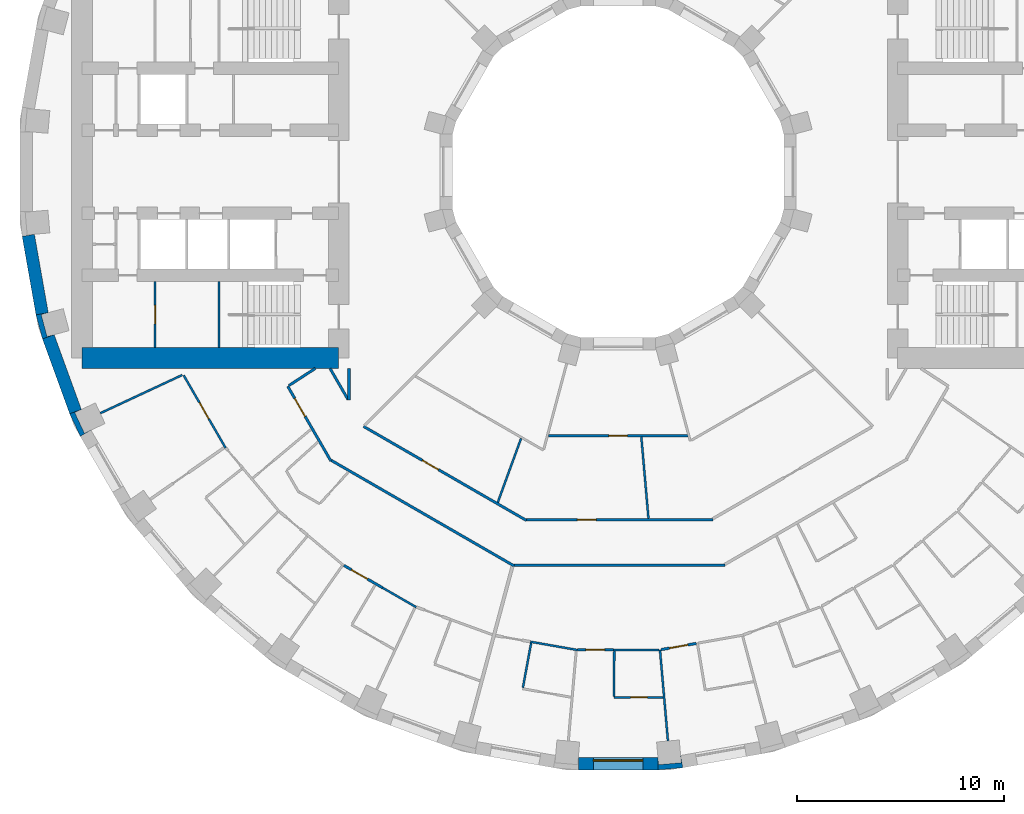
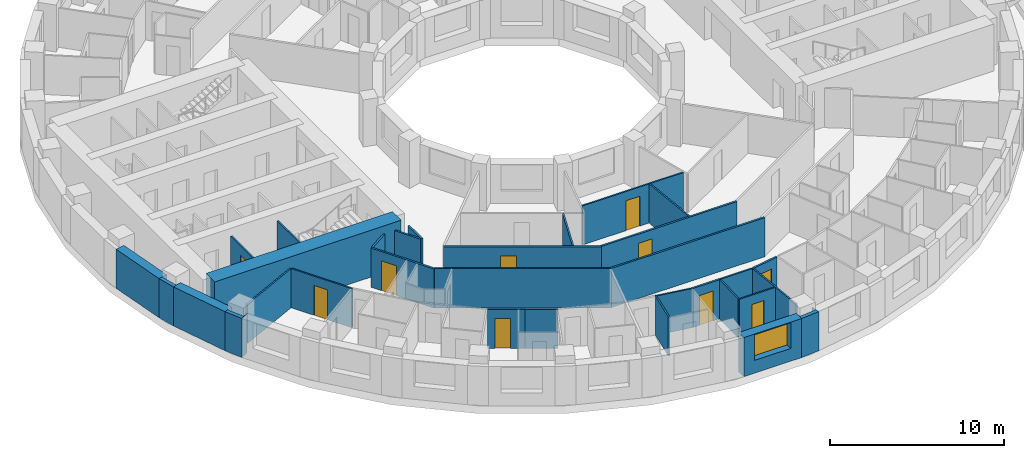
# One storey, part 3 of 14: 32 walls, 10 doors, 1 window, 11 openings.
"""IFC4 building model written with IfcOpenShell, lengths in metres."""

from ifc_helpers import new_model, si_unit, direction, frame, frame_2d, origin, place, context, subcontext, project, spatial, polyline, rectangle, outline, extrude, material, layer, layer_set, type_object, element, fill, save


model = new_model("IFC4")

# Units and contexts
model_context = context("Model", 3, precision=1e-05, world=origin(), true_north=direction((0.0, 1.0)))
body_context = subcontext(model_context, "Body", "Model", "MODEL_VIEW")
ifc_project = project(units=[si_unit("LENGTHUNIT", "METRE"), si_unit("AREAUNIT", "SQUARE_METRE"), si_unit("VOLUMEUNIT", "CUBIC_METRE"), si_unit("PLANEANGLEUNIT", "RADIAN"), si_unit("MASSUNIT", "GRAM", prefix="KILO")], contexts=[model_context])

# Site, building, storey
site_placement = place(None, origin())
site = spatial("IfcSite", under=ifc_project, at=site_placement, CompositionType="ELEMENT")
building_placement = place(site_placement, origin())
building = spatial("IfcBuilding", under=site, at=building_placement, Name="Saqina Gate Tower", CompositionType="ELEMENT")
storey_placement = place(building_placement, frame((0.0, 0.0, 46.10009765625)))
storey = spatial("IfcBuildingStorey", under=building, at=storey_placement, Name="L12", CompositionType="ELEMENT", Elevation=46.10009765625)

# Walls
ifc_material_1 = material(Name="Brick masonry (red)", Category="masonry")
wall_type_1 = type_object("IfcWallType", Name="BRICK PIER COPING RED", PredefinedType="SOLIDWALL", material=ifc_material_1)
wall_1_placement = place(storey_placement, origin())
element("IfcWall", 1, at=wall_1_placement, inside=storey, type_object=wall_type_1, Name="Pier cap L12 column 20", PredefinedType="SOLIDWALL", context=body_context, shape_type="SweptSolid", body=[
    extrude(outline(polyline([(-28.11669921875, -6.910400390625), (-27.80517578125, -8.073974609375), (-27.2412109375, -7.86865234375), (-27.57958984375, -7.95947265625), (-27.864501953125, -6.896728515625), (-27.52587890625, -6.80615234375), (-28.11669921875, -6.910400390625)])), origin(), (0.0, 0.0, 1.0), 2.75),
])
wall_2_placement = place(storey_placement, origin())
element("IfcWall", 2, at=wall_2_placement, inside=storey, type_object=wall_type_1, Name="Pier cap L12 column 21", PredefinedType="SOLIDWALL", context=body_context, shape_type="SweptSolid", body=[
    extrude(outline(polyline([(-25.980712890625, -12.779541015625), (-25.4609375, -12.4794921875), (-25.778564453125, -12.627685546875), (-26.243408203125, -11.630615234375), (-25.92578125, -11.482666015625), (-26.48974609375, -11.687744140625), (-25.980712890625, -12.779541015625)])), origin(), (0.0, 0.0, 1.0), 2.75),
])
wall_3_placement = place(storey_placement, origin())
element("IfcWall", 3, at=wall_3_placement, inside=storey, type_object=wall_type_1, Name="Pier cap L12 column 28", PredefinedType="SOLIDWALL", context=body_context, shape_type="SweptSolid", body=[
    extrude(outline(polyline([(1.9228515625, -28.8896484375), (3.122802734375, -28.78466796875), (3.018798828125, -28.19384765625), (3.04931640625, -28.54296875), (1.95361328125, -28.638671875), (1.9228515625, -28.28955078125), (1.9228515625, -28.8896484375)])), origin(), (0.0, 0.0, 1.0), 2.75),
])

# Wall, opening, door
ifc_material_2 = material(Name="Gypsum board on steel studs", Category="steel")
ifc_layer_1 = layer(ifc_material_2, 0.10009765625)
ifc_layer_set_1 = layer_set([ifc_layer_1], Name="CORE PARTITION")
wall_type_2 = type_object("IfcWallType", Name="CORE PARTITION", PredefinedType="PARTITIONING", material=ifc_layer_set_1)
wall_4_placement = place(storey_placement, frame((-22.360107421875, -8.5, 0.0), z_axis=(0.0, 0.0, 1.0), x_axis=(0.0, 1.0, 0.0)))
wall_4 = element("IfcWall", 4, at=wall_4_placement, inside=storey, type_object=wall_type_2, Name="L12-CP-W15", PredefinedType="PARTITIONING", context=body_context, shape_type="SweptSolid", body=[
    extrude(rectangle(XDim=3.199951171875, YDim=0.10009765625, at=frame_2d((1.60009765625, 0.0))), origin(), (0.0, 0.0, 1.0), 2.75),
])
opening_1_placement = place(wall_4_placement, frame((1.14990234375, 0.0, 0.0)))
opening_1 = element("IfcOpeningElement", 5, at=opening_1_placement, cuts=wall_4, Name="Opening G03-D118", PredefinedType="OPENING", context=body_context, shape_type="SweptSolid", body=[
    extrude(rectangle(XDim=0.89990234375, YDim=2.10009765625, at=frame_2d((0.449951171875, 1.050048828125))), frame((0.0, 0.06201171875, 0.0), z_axis=(0.0, -1.0, 0.0), x_axis=(1.0, 0.0, 0.0)), (0.0, 0.0, 1.0), 0.1240234375),
])
ifc_material_3 = material(Name="Steel-framed fire door leaf, EI 60", Category="steel")
door_type_1 = type_object("IfcDoorType", Name="SERVICE ROOM DOOR 900", OperationType="SINGLE_SWING_LEFT", PredefinedType="DOOR", material=ifc_material_3)
door_1_placement = place(opening_1_placement, origin())
door_1 = element("IfcDoor", 6, at=door_1_placement, inside=storey, type_object=door_type_1, Name="L12-CD-W29", OperationType="SINGLE_SWING_LEFT", OverallHeight=2.10009765625, OverallWidth=0.89990234375, PredefinedType="DOOR", context=body_context, shape_type="SweptSolid", body=[
    extrude(rectangle(XDim=0.89990234375, YDim=2.10009765625, at=frame_2d((0.449951171875, 1.050048828125))), frame((0.0, 0.02490234375, 0.0), z_axis=(0.0, -1.0, 0.0), x_axis=(1.0, 0.0, 0.0)), (0.0, 0.0, 1.0), 0.050048828125),
])
fill(opening_1, door_1)

# Wall, opening, window
ifc_material_4 = material(Name="Brick masonry (red)", Category="masonry")
ifc_layer_2 = layer(ifc_material_4, 0.60009765625)
ifc_layer_set_2 = layer_set([ifc_layer_2], Name="FW-BRICK-RED")
wall_type_3 = type_object("IfcWallType", Name="FW-BRICK-RED", PredefinedType="SOLIDWALL", material=ifc_layer_set_2)
wall_5_placement = place(storey_placement, frame((-1.9228515625, -28.589599609375, 0.0), z_axis=(0.0, 0.0, 1.0), x_axis=(1.0, 0.0, 0.0)))
wall_5 = element("IfcWall", 7, at=wall_5_placement, inside=storey, type_object=wall_type_3, Name="Facade wall L12 facet 27", PredefinedType="SOLIDWALL", context=body_context, shape_type="SweptSolid", body=[
    extrude(rectangle(XDim=3.845703125, YDim=0.60009765625, at=frame_2d((1.9228515625, 0.0))), origin(), (0.0, 0.0, 1.0), 2.75),
])
opening_2_placement = place(wall_5_placement, frame((0.722900390625, 0.0, 0.89990234375)))
opening_2 = element("IfcOpeningElement", 8, at=opening_2_placement, cuts=wall_5, Name="Opening G03-W20", PredefinedType="OPENING", context=body_context, shape_type="SweptSolid", body=[
    extrude(rectangle(XDim=2.39990234375, YDim=1.800048828125, at=frame_2d((1.199951171875, 0.89990234375))), frame((0.0, 0.31201171875, 0.0), z_axis=(0.0, -1.0, 0.0), x_axis=(1.0, 0.0, 0.0)), (0.0, 0.0, 1.0), 0.6240234375),
])
ifc_material_5 = material(Name="Aluminium glazing", Category="aluminium")
window_type = type_object("IfcWindowType", Name="WN-A", PartitioningType="SINGLE_PANEL", PredefinedType="WINDOW", material=ifc_material_5)
window_placement = place(opening_2_placement, origin())
window = element("IfcWindow", 9, at=window_placement, inside=storey, type_object=window_type, Name="Window L12 facet 27", OverallHeight=1.800048828125, OverallWidth=2.39990234375, PartitioningType="SINGLE_PANEL", PredefinedType="WINDOW", context=body_context, shape_type="SweptSolid", body=[
    extrude(rectangle(XDim=2.39990234375, YDim=1.800048828125, at=frame_2d((1.199951171875, 0.89990234375))), frame((0.0, 0.179931640625, 0.0), z_axis=(0.0, -1.0, 0.0), x_axis=(1.0, 0.0, 0.0)), (0.0, 0.0, 1.0), 0.06005859375),
])
fill(opening_2, window)

# Walls
ifc_material_6 = material(Name="Glazed ceramic tile", Category="ceramic")
ifc_layer_3 = layer(ifc_material_6, 0.60009765625)
ifc_layer_set_3 = layer_set([ifc_layer_3], Name="FW-TILE")
wall_type_4 = type_object("IfcWallType", Name="FW-TILE", PredefinedType="SOLIDWALL", material=ifc_layer_set_3)
wall_6_placement = place(storey_placement, frame((-28.4892578125, -3.07080078125, 0.0), z_axis=(0.0, 0.0, 1.0), x_axis=(0.173687553279, -0.984800809218, 0.0)))
element("IfcWall", 10, at=wall_6_placement, inside=storey, type_object=wall_type_4, Name="Facade wall L12 facet 19", PredefinedType="SOLIDWALL", context=body_context, shape_type="SweptSolid", body=[
    extrude(rectangle(XDim=3.845703125, YDim=0.60009765625, at=frame_2d((1.9228515625, 0.0))), origin(), (0.0, 0.0, 1.0), 2.75),
])
ifc_material_7 = material(Name="Glazed ceramic tile (white)", Category="ceramic")
ifc_layer_4 = layer(ifc_material_7, 0.60009765625)
ifc_layer_set_4 = layer_set([ifc_layer_4], Name="FW-TILE-WH")
wall_type_5 = type_object("IfcWallType", Name="FW-TILE-WH", PredefinedType="SOLIDWALL", material=ifc_layer_set_4)
wall_7_placement = place(storey_placement, frame((-27.523193359375, -7.97119140625, 0.0), z_axis=(0.0, 0.0, 1.0), x_axis=(0.342028474173, -0.939689588564, 0.0)))
element("IfcWall", 11, at=wall_7_placement, inside=storey, type_object=wall_type_5, Name="Facade wall L12 facet 20", PredefinedType="SOLIDWALL", context=body_context, shape_type="SweptSolid", body=[
    extrude(rectangle(XDim=3.845947265625, YDim=0.60009765625, at=frame_2d((1.9228515625, 0.0))), origin(), (0.0, 0.0, 1.0), 2.75),
])
ifc_material_8 = material(Name="Gypsum board on steel studs, 100 mm", Category="steel")
ifc_layer_5 = layer(ifc_material_8, 0.10009765625)
ifc_layer_set_5 = layer_set([ifc_layer_5], Name="PARTITION 100")
wall_type_6 = type_object("IfcWallType", Name="PARTITION 100", PredefinedType="PARTITIONING", material=ifc_layer_set_5)
wall_8_placement = place(storey_placement, frame((1.119384765625, -12.7998046875, 0.0), z_axis=(0.0, 0.0, 1.0), x_axis=(0.087327835862, -0.996179626917, 0.0)))
element("IfcWall", 12, at=wall_8_placement, inside=storey, type_object=wall_type_6, Name="PARTITION PW3-02", PredefinedType="PARTITIONING", context=body_context, shape_type="SweptSolid", body=[
    extrude(rectangle(XDim=3.953125, YDim=0.10009765625, at=frame_2d((1.9765625, 0.0))), origin(), (0.0, 0.0, 1.0), 2.75),
])
wall_9_placement = place(storey_placement, frame((2.02001953125, -23.090087890625, 0.0), z_axis=(0.0, 0.0, 1.0), x_axis=(0.087326902968, -0.996179708696, 0.0)))
element("IfcWall", 13, at=wall_9_placement, inside=storey, type_object=wall_type_6, Name="PARTITION PW3-03", PredefinedType="PARTITIONING", context=body_context, shape_type="SweptSolid", body=[
    extrude(rectangle(XDim=4.41162109375, YDim=0.10009765625, at=frame_2d((2.205810546875, 0.0))), origin(), (0.0, 0.0, 1.0), 2.75),
])

# Wall, opening, door
wall_10_placement = place(storey_placement, frame((-20.98095703125, -9.83837890625, 0.0), z_axis=(0.0, 0.0, 1.0), x_axis=(0.500011837539, -0.86601856927, 0.0)))
wall_10 = element("IfcWall", 14, at=wall_10_placement, inside=storey, type_object=wall_type_6, Name="PARTITION PW3-21", PredefinedType="PARTITIONING", context=body_context, shape_type="SweptSolid", body=[
    extrude(rectangle(XDim=4.041015625, YDim=0.10009765625, at=frame_2d((2.0205078125, 0.0))), origin(), (0.0, 0.0, 1.0), 2.75),
])
opening_3_placement = place(wall_10_placement, frame((1.521240234375, 0.0, 0.0)))
opening_3 = element("IfcOpeningElement", 15, at=opening_3_placement, cuts=wall_10, Name="Opening G03-D39", PredefinedType="OPENING", context=body_context, shape_type="SweptSolid", body=[
    extrude(rectangle(XDim=0.89990234375, YDim=2.10009765625, at=frame_2d((0.449951171875, 1.050048828125))), frame((0.0, 0.06201171875, 0.0), z_axis=(0.0, -1.0, 0.0), x_axis=(1.0, 0.0, 0.0)), (0.0, 0.0, 1.0), 0.1240234375),
])
ifc_material_9 = material(Name="Timber door leaf, 900 mm", Category="wood")
door_type_2 = type_object("IfcDoorType", Name="DOOR 900 TIMBER", OperationType="SINGLE_SWING_LEFT", PredefinedType="DOOR", material=ifc_material_9)
door_2_placement = place(opening_3_placement, origin())
door_2 = element("IfcDoor", 16, at=door_2_placement, inside=storey, type_object=door_type_2, Name="DOOR G03-D39", OperationType="SINGLE_SWING_LEFT", OverallHeight=2.10009765625, OverallWidth=0.89990234375, PredefinedType="DOOR", context=body_context, shape_type="SweptSolid", body=[
    extrude(rectangle(XDim=0.89990234375, YDim=2.10009765625, at=frame_2d((0.449951171875, 1.050048828125))), frame((0.0, 0.02490234375, 0.0), z_axis=(0.0, -1.0, 0.0), x_axis=(1.0, 0.0, 0.0)), (0.0, 0.0, 1.0), 0.050048828125),
])
fill(opening_3, door_2)

# Walls
wall_11_placement = place(storey_placement, frame((-11.38037109375, -20.09130859375, 0.0), z_axis=(0.0, 0.0, 1.0), x_axis=(0.866207192616, -0.499685000235, 0.0)))
element("IfcWall", 17, at=wall_11_placement, inside=storey, type_object=wall_type_6, Name="PARTITION PW3-45", PredefinedType="PARTITIONING", context=body_context, shape_type="SweptSolid", body=[
    extrude(rectangle(XDim=1.881103515625, YDim=0.10009765625, at=frame_2d((0.9404296875, 0.0))), origin(), (0.0, 0.0, 1.0), 2.75),
])
wall_12_placement = place(storey_placement, frame((-4.2412109375, -22.6982421875, 0.0), z_axis=(0.0, 0.0, 1.0), x_axis=(0.984796344358, -0.173712866935, 0.0)))
element("IfcWall", 18, at=wall_12_placement, inside=storey, type_object=wall_type_6, Name="PARTITION PW3-58", PredefinedType="PARTITIONING", context=body_context, shape_type="SweptSolid", body=[
    extrude(rectangle(XDim=2.306396484375, YDim=0.10009765625, at=frame_2d((1.1533203125, 0.0))), origin(), (0.0, 0.0, 1.0), 2.75),
])

# Wall, opening, door
wall_13_placement = place(storey_placement, frame((-0.202880859375, -25.389892578125, 0.0), z_axis=(0.0, 0.0, 1.0), x_axis=(1.0, 0.0, 0.0)))
wall_13 = element("IfcWall", 19, at=wall_13_placement, inside=storey, type_object=wall_type_6, Name="PARTITION PW3-61", PredefinedType="PARTITIONING", context=body_context, shape_type="SweptSolid", body=[
    extrude(rectangle(XDim=2.373779296875, YDim=0.10009765625, at=frame_2d((1.18701171875, 0.0))), origin(), (0.0, 0.0, 1.0), 2.75),
])
opening_4_placement = place(wall_13_placement, frame((0.81201171875, 0.0, 0.0)))
opening_4 = element("IfcOpeningElement", 20, at=opening_4_placement, cuts=wall_13, Name="Opening G03-D59", PredefinedType="OPENING", context=body_context, shape_type="SweptSolid", body=[
    extrude(rectangle(XDim=0.800048828125, YDim=2.10009765625, at=frame_2d((0.39990234375, 1.050048828125))), frame((0.0, 0.06201171875, 0.0), z_axis=(0.0, -1.0, 0.0), x_axis=(1.0, 0.0, 0.0)), (0.0, 0.0, 1.0), 0.1240234375),
])
ifc_material_10 = material(Name="Timber door leaf, 800 mm", Category="wood")
door_type_3 = type_object("IfcDoorType", Name="DOOR 800 TIMBER", OperationType="SINGLE_SWING_LEFT", PredefinedType="DOOR", material=ifc_material_10)
door_3_placement = place(opening_4_placement, frame((0.800048828125, 0.0, 0.0), z_axis=(0.0, 0.0, 1.0), x_axis=(-1.0, 0.0, 0.0)))
door_3 = element("IfcDoor", 21, at=door_3_placement, inside=storey, type_object=door_type_3, Name="DOOR G03-D59", OperationType="SINGLE_SWING_LEFT", OverallHeight=2.10009765625, OverallWidth=0.800048828125, PredefinedType="DOOR", context=body_context, shape_type="SweptSolid", body=[
    extrude(rectangle(XDim=0.800048828125, YDim=2.10009765625, at=frame_2d((0.39990234375, 1.050048828125))), frame((0.0, 0.02490234375, 0.0), z_axis=(0.0, -1.0, 0.0), x_axis=(1.0, 0.0, 0.0)), (0.0, 0.0, 1.0), 0.050048828125),
])
fill(opening_4, door_3)

# Wall
wall_14_placement = place(storey_placement, frame((-0.235107421875, -23.090087890625, 0.0), z_axis=(0.0, 0.0, 1.0), x_axis=(1.0, 0.0, 0.0)))
element("IfcWall", 22, at=wall_14_placement, inside=storey, type_object=wall_type_6, Name="PARTITION PW3-62", PredefinedType="PARTITIONING", context=body_context, shape_type="SweptSolid", body=[
    extrude(rectangle(XDim=2.205078125, YDim=0.10009765625, at=frame_2d((1.1025390625, 0.0))), origin(), (0.0, 0.0, 1.0), 2.75),
])

# Wall, opening, door
wall_15_placement = place(storey_placement, frame((-3.365966796875, -12.75, 0.0), z_axis=(0.0, 0.0, 1.0), x_axis=(1.0, 0.0, 0.0)))
wall_15 = element("IfcWall", 23, at=wall_15_placement, inside=storey, type_object=wall_type_6, Name="PARTITION PW3-63", PredefinedType="PARTITIONING", context=body_context, shape_type="SweptSolid", body=[
    extrude(rectangle(XDim=6.73193359375, YDim=0.10009765625, at=frame_2d((3.365966796875, 0.0))), origin(), (0.0, 0.0, 1.0), 2.75),
])
opening_5_placement = place(wall_15_placement, frame((2.916015625, 0.0, 0.0)))
opening_5 = element("IfcOpeningElement", 24, at=opening_5_placement, cuts=wall_15, Name="Opening G03-D58", PredefinedType="OPENING", context=body_context, shape_type="SweptSolid", body=[
    extrude(rectangle(XDim=0.89990234375, YDim=2.10009765625, at=frame_2d((0.449951171875, 1.050048828125))), frame((0.0, 0.06201171875, 0.0), z_axis=(0.0, -1.0, 0.0), x_axis=(1.0, 0.0, 0.0)), (0.0, 0.0, 1.0), 0.1240234375),
])
door_4_placement = place(opening_5_placement, frame((0.89990234375, 0.0, 0.0), z_axis=(0.0, 0.0, 1.0), x_axis=(-1.0, 0.0, 0.0)))
door_4 = element("IfcDoor", 25, at=door_4_placement, inside=storey, type_object=door_type_2, Name="DOOR G03-D58", OperationType="SINGLE_SWING_RIGHT", OverallHeight=2.10009765625, OverallWidth=0.89990234375, PredefinedType="DOOR", context=body_context, shape_type="SweptSolid", body=[
    extrude(rectangle(XDim=0.89990234375, YDim=2.10009765625, at=frame_2d((0.449951171875, 1.050048828125))), frame((0.0, 0.02490234375, 0.0), z_axis=(0.0, -1.0, 0.0), x_axis=(1.0, 0.0, 0.0)), (0.0, 0.0, 1.0), 0.050048828125),
])
fill(opening_5, door_4)

# Walls
wall_16_placement = place(storey_placement, frame((-25.005126953125, -11.65966796875, 0.0), z_axis=(0.0, 0.0, 1.0), x_axis=(0.906326060206, 0.422579072591, 0.0)))
element("IfcWall", 26, at=wall_16_placement, inside=storey, type_object=wall_type_6, Name="PARTITION PW3-78", PredefinedType="PARTITIONING", context=body_context, shape_type="SweptSolid", body=[
    extrude(rectangle(XDim=4.362548828125, YDim=0.10009765625, at=frame_2d((2.18115234375, 0.0))), origin(), (0.0, 0.0, 1.0), 2.75),
])
wall_17_placement = place(storey_placement, frame((-5.813720703125, -15.97119140625, 0.0), z_axis=(0.0, 0.0, 1.0), x_axis=(0.342207917315, 0.939624255395, 0.0)))
element("IfcWall", 27, at=wall_17_placement, inside=storey, type_object=wall_type_6, Name="PARTITION PW3-116", PredefinedType="PARTITIONING", context=body_context, shape_type="SweptSolid", body=[
    extrude(rectangle(XDim=3.288818359375, YDim=0.10009765625, at=frame_2d((1.64453125, 0.0))), origin(), (0.0, 0.0, 1.0), 2.75),
])
wall_18_placement = place(storey_placement, frame((-4.599853515625, -24.919921875, 0.0), z_axis=(0.0, 0.0, 1.0), x_axis=(0.181199143807, 0.983446424714, 0.0)))
element("IfcWall", 28, at=wall_18_placement, inside=storey, type_object=wall_type_6, Name="PARTITION PW3-122", PredefinedType="PARTITIONING", context=body_context, shape_type="SweptSolid", body=[
    extrude(rectangle(XDim=2.2001953125, YDim=0.10009765625, at=frame_2d((1.10009765625, 0.0))), origin(), (0.0, 0.0, 1.0), 2.75),
])
wall_19_placement = place(storey_placement, frame((-0.20263671875, -25.340087890625, 0.0), z_axis=(0.0, 0.0, 1.0), x_axis=(0.007812261592, 0.999969483819, 0.0)))
element("IfcWall", 29, at=wall_19_placement, inside=storey, type_object=wall_type_6, Name="PARTITION PW3-129", PredefinedType="PARTITIONING", context=body_context, shape_type="SweptSolid", body=[
    extrude(rectangle(XDim=2.1875, YDim=0.10009765625, at=frame_2d((1.09375, 0.0))), origin(), (0.0, 0.0, 1.0), 2.75),
])

# Wall, opening, door
ifc_material_11 = material(Name="Gypsum board on steel studs, 125 mm, fire rated", Category="steel")
ifc_layer_6 = layer(ifc_material_11, 0.125)
ifc_layer_set_6 = layer_set([ifc_layer_6], Name="PARTITION EI 30 125")
wall_type_7 = type_object("IfcWallType", Name="PARTITION EI 30 125", PredefinedType="PARTITIONING", material=ifc_layer_set_6)
wall_20_placement = place(storey_placement, frame((-15.95703125, -10.362060546875, 0.0), z_axis=(0.0, 0.0, 1.0), x_axis=(0.500063859158, -0.865988531543, 0.0)))
wall_20 = element("IfcWall", 30, at=wall_20_placement, inside=storey, type_object=wall_type_7, Name="PARTITION PW1-01", PredefinedType="PARTITIONING", context=body_context, shape_type="SweptSolid", body=[
    extrude(rectangle(XDim=4.16796875, YDim=0.125, at=frame_2d((2.083984375, 0.0))), origin(), (0.0, 0.0, 1.0), 2.75),
])
opening_6_placement = place(wall_20_placement, frame((0.673828125, 0.0, 0.0)))
opening_6 = element("IfcOpeningElement", 31, at=opening_6_placement, cuts=wall_20, Name="Opening G03-D41", PredefinedType="OPENING", context=body_context, shape_type="SweptSolid", body=[
    extrude(rectangle(XDim=1.0, YDim=2.10009765625, at=frame_2d((0.5, 1.050048828125))), frame((0.0, 0.074462890625, 0.0), z_axis=(0.0, -1.0, 0.0), x_axis=(1.0, 0.0, 0.0)), (0.0, 0.0, 1.0), 0.14892578125),
])
ifc_material_12 = material(Name="Fire door leaf EI 30, 1000 mm")
door_type_4 = type_object("IfcDoorType", Name="DOOR 1000 EI 30", OperationType="SINGLE_SWING_LEFT", PredefinedType="DOOR", material=ifc_material_12)
door_5_placement = place(opening_6_placement, frame((1.0, 0.0, 0.0), z_axis=(0.0, 0.0, 1.0), x_axis=(-1.0, 0.0, 0.0)))
door_5 = element("IfcDoor", 32, at=door_5_placement, inside=storey, type_object=door_type_4, Name="DOOR G03-D41", OperationType="SINGLE_SWING_RIGHT", OverallHeight=2.10009765625, OverallWidth=1.0, PredefinedType="DOOR", context=body_context, shape_type="SweptSolid", body=[
    extrude(rectangle(XDim=1.0, YDim=2.10009765625, at=frame_2d((0.5, 1.050048828125))), frame((0.0, 0.02490234375, 0.0), z_axis=(0.0, -1.0, 0.0), x_axis=(1.0, 0.0, 0.0)), (0.0, 0.0, 1.0), 0.050048828125),
])
fill(opening_6, door_5)

# Wall
wall_21_placement = place(storey_placement, frame((-13.9140625, -9.5, 0.0), z_axis=(0.0, 0.0, 1.0), x_axis=(0.500066958712, -0.865986741702, 0.0)))
element("IfcWall", 33, at=wall_21_placement, inside=storey, type_object=wall_type_7, Name="PARTITION PW1-02", PredefinedType="PARTITIONING", context=body_context, shape_type="SweptSolid", body=[
    extrude(rectangle(XDim=1.738037109375, YDim=0.125, at=frame_2d((0.869140625, 0.0))), origin(), (0.0, 0.0, 1.0), 2.75),
])

# Wall, opening, door
wall_22_placement = place(storey_placement, frame((-13.250732421875, -19.010986328125, 0.0), z_axis=(0.0, 0.0, 1.0), x_axis=(0.865854192141, -0.500296430081, 0.0)))
wall_22 = element("IfcWall", 34, at=wall_22_placement, inside=storey, type_object=wall_type_7, Name="PARTITION PW1-12", PredefinedType="PARTITIONING", context=body_context, shape_type="SweptSolid", body=[
    extrude(rectangle(XDim=2.159912109375, YDim=0.125, at=frame_2d((1.080078125, 0.0))), origin(), (0.0, 0.0, 1.0), 2.75),
])
opening_7_placement = place(wall_22_placement, frame((0.41748046875, 0.0, 0.0)))
opening_7 = element("IfcOpeningElement", 35, at=opening_7_placement, cuts=wall_22, Name="Opening G03-D48", PredefinedType="OPENING", context=body_context, shape_type="SweptSolid", body=[
    extrude(rectangle(XDim=0.89990234375, YDim=2.10009765625, at=frame_2d((0.449951171875, 1.050048828125))), frame((0.0, 0.074462890625, 0.0), z_axis=(0.0, -1.0, 0.0), x_axis=(1.0, 0.0, 0.0)), (0.0, 0.0, 1.0), 0.14892578125),
])
ifc_material_13 = material(Name="Fire door leaf EI 30, 900 mm")
door_type_5 = type_object("IfcDoorType", Name="DOOR 900 EI 30", OperationType="SINGLE_SWING_LEFT", PredefinedType="DOOR", material=ifc_material_13)
door_6_placement = place(opening_7_placement, origin())
door_6 = element("IfcDoor", 36, at=door_6_placement, inside=storey, type_object=door_type_5, Name="DOOR G03-D48", OperationType="SINGLE_SWING_LEFT", OverallHeight=2.10009765625, OverallWidth=0.89990234375, PredefinedType="DOOR", context=body_context, shape_type="SweptSolid", body=[
    extrude(rectangle(XDim=0.89990234375, YDim=2.10009765625, at=frame_2d((0.449951171875, 1.050048828125))), frame((0.0, 0.02490234375, 0.0), z_axis=(0.0, -1.0, 0.0), x_axis=(1.0, 0.0, 0.0)), (0.0, 0.0, 1.0), 0.050048828125),
])
fill(opening_7, door_6)

# Wall
wall_23_placement = place(storey_placement, frame((-13.85498046875, -13.940185546875, 0.0), z_axis=(0.0, 0.0, 1.0), x_axis=(0.866024825845, -0.50000100102, 0.0)))
element("IfcWall", 37, at=wall_23_placement, inside=storey, type_object=wall_type_7, Name="PARTITION PW1-13", PredefinedType="PARTITIONING", context=body_context, shape_type="SweptSolid", body=[
    extrude(rectangle(XDim=10.19189453125, YDim=0.125, at=frame_2d((5.095947265625, 0.0))), origin(), (0.0, 0.0, 1.0), 2.75),
])

# Wall, opening, door
wall_24_placement = place(storey_placement, frame((-12.298095703125, -12.298095703125, 0.0), z_axis=(0.0, 0.0, 1.0), x_axis=(0.865982621983, -0.500074092933, 0.0)))
wall_24 = element("IfcWall", 38, at=wall_24_placement, inside=storey, type_object=wall_type_7, Name="PARTITION PW1-14", PredefinedType="PARTITIONING", context=body_context, shape_type="SweptSolid", body=[
    extrude(rectangle(XDim=9.07470703125, YDim=0.125, at=frame_2d((4.537353515625, 0.0))), origin(), (0.0, 0.0, 1.0), 2.75),
])
opening_8_placement = place(wall_24_placement, frame((3.281494140625, 0.0, 0.0)))
opening_8 = element("IfcOpeningElement", 39, at=opening_8_placement, cuts=wall_24, Name="Opening G03-D49", PredefinedType="OPENING", context=body_context, shape_type="SweptSolid", body=[
    extrude(rectangle(XDim=0.89990234375, YDim=2.10009765625, at=frame_2d((0.449951171875, 1.050048828125))), frame((0.0, 0.074462890625, 0.0), z_axis=(0.0, -1.0, 0.0), x_axis=(1.0, 0.0, 0.0)), (0.0, 0.0, 1.0), 0.14892578125),
])
door_7_placement = place(opening_8_placement, origin())
door_7 = element("IfcDoor", 40, at=door_7_placement, inside=storey, type_object=door_type_5, Name="DOOR G03-D49", OperationType="SINGLE_SWING_LEFT", OverallHeight=2.10009765625, OverallWidth=0.89990234375, PredefinedType="DOOR", context=body_context, shape_type="SweptSolid", body=[
    extrude(rectangle(XDim=0.89990234375, YDim=2.10009765625, at=frame_2d((0.449951171875, 1.050048828125))), frame((0.0, 0.02490234375, 0.0), z_axis=(0.0, -1.0, 0.0), x_axis=(1.0, 0.0, 0.0)), (0.0, 0.0, 1.0), 0.050048828125),
])
fill(opening_8, door_7)

wall_25_placement = place(storey_placement, frame((-1.969970703125, -23.090087890625, 0.0), z_axis=(0.0, 0.0, 1.0), x_axis=(1.0, 0.0, 0.0)))
wall_25 = element("IfcWall", 41, at=wall_25_placement, inside=storey, type_object=wall_type_7, Name="PARTITION PW1-24", PredefinedType="PARTITIONING", context=body_context, shape_type="SweptSolid", body=[
    extrude(rectangle(XDim=1.73486328125, YDim=0.125, at=frame_2d((0.867431640625, 0.0))), origin(), (0.0, 0.0, 1.0), 2.75),
])
opening_9_placement = place(wall_25_placement, frame((0.41748046875, 0.0, 0.0)))
opening_9 = element("IfcOpeningElement", 42, at=opening_9_placement, cuts=wall_25, Name="Opening G03-D57", PredefinedType="OPENING", context=body_context, shape_type="SweptSolid", body=[
    extrude(rectangle(XDim=0.89990234375, YDim=2.10009765625, at=frame_2d((0.449951171875, 1.050048828125))), frame((0.0, 0.074462890625, 0.0), z_axis=(0.0, -1.0, 0.0), x_axis=(1.0, 0.0, 0.0)), (0.0, 0.0, 1.0), 0.14892578125),
])
door_8_placement = place(opening_9_placement, origin())
door_8 = element("IfcDoor", 43, at=door_8_placement, inside=storey, type_object=door_type_5, Name="DOOR G03-D57", OperationType="SINGLE_SWING_LEFT", OverallHeight=2.10009765625, OverallWidth=0.89990234375, PredefinedType="DOOR", context=body_context, shape_type="SweptSolid", body=[
    extrude(rectangle(XDim=0.89990234375, YDim=2.10009765625, at=frame_2d((0.449951171875, 1.050048828125))), frame((0.0, 0.02490234375, 0.0), z_axis=(0.0, -1.0, 0.0), x_axis=(1.0, 0.0, 0.0)), (0.0, 0.0, 1.0), 0.050048828125),
])
fill(opening_9, door_8)

# Wall
wall_26_placement = place(storey_placement, frame((-5.028564453125, -19.0, 0.0), z_axis=(0.0, 0.0, 1.0), x_axis=(1.0, 0.0, 0.0)))
element("IfcWall", 44, at=wall_26_placement, inside=storey, type_object=wall_type_7, Name="PARTITION PW1-25", PredefinedType="PARTITIONING", context=body_context, shape_type="SweptSolid", body=[
    extrude(rectangle(XDim=10.191650390625, YDim=0.125, at=frame_2d((5.095703125, 0.0))), origin(), (0.0, 0.0, 1.0), 2.75),
])

# Wall, opening, door
wall_27_placement = place(storey_placement, frame((-4.439453125, -16.800048828125, 0.0), z_axis=(0.0, 0.0, 1.0), x_axis=(1.0, 0.0, 0.0)))
wall_27 = element("IfcWall", 45, at=wall_27_placement, inside=storey, type_object=wall_type_7, Name="PARTITION PW1-26", PredefinedType="PARTITIONING", context=body_context, shape_type="SweptSolid", body=[
    extrude(rectangle(XDim=9.013671875, YDim=0.125, at=frame_2d((4.5068359375, 0.0))), origin(), (0.0, 0.0, 1.0), 2.75),
])
opening_10_placement = place(wall_27_placement, frame((2.473388671875, 0.0, 0.0)))
opening_10 = element("IfcOpeningElement", 46, at=opening_10_placement, cuts=wall_27, Name="Opening G03-D56", PredefinedType="OPENING", context=body_context, shape_type="SweptSolid", body=[
    extrude(rectangle(XDim=0.89990234375, YDim=2.10009765625, at=frame_2d((0.449951171875, 1.050048828125))), frame((0.0, 0.074462890625, 0.0), z_axis=(0.0, -1.0, 0.0), x_axis=(1.0, 0.0, 0.0)), (0.0, 0.0, 1.0), 0.14892578125),
])
door_9_placement = place(opening_10_placement, origin())
door_9 = element("IfcDoor", 47, at=door_9_placement, inside=storey, type_object=door_type_5, Name="DOOR G03-D56", OperationType="SINGLE_SWING_LEFT", OverallHeight=2.10009765625, OverallWidth=0.89990234375, PredefinedType="DOOR", context=body_context, shape_type="SweptSolid", body=[
    extrude(rectangle(XDim=0.89990234375, YDim=2.10009765625, at=frame_2d((0.449951171875, 1.050048828125))), frame((0.0, 0.02490234375, 0.0), z_axis=(0.0, -1.0, 0.0), x_axis=(1.0, 0.0, 0.0)), (0.0, 0.0, 1.0), 0.050048828125),
])
fill(opening_10, door_9)

wall_28_placement = place(storey_placement, frame((2.0693359375, -23.081298828125, 0.0), z_axis=(0.0, 0.0, 1.0), x_axis=(0.984782142107, 0.173793361747, 0.0)))
wall_28 = element("IfcWall", 48, at=wall_28_placement, inside=storey, type_object=wall_type_7, Name="PARTITION PW1-31", PredefinedType="PARTITIONING", context=body_context, shape_type="SweptSolid", body=[
    extrude(rectangle(XDim=1.73486328125, YDim=0.125, at=frame_2d((0.867431640625, 0.0))), origin(), (0.0, 0.0, 1.0), 2.75),
])
opening_11_placement = place(wall_28_placement, frame((0.41748046875, 0.0, 0.0)))
opening_11 = element("IfcOpeningElement", 49, at=opening_11_placement, cuts=wall_28, Name="Opening G03-D60", PredefinedType="OPENING", context=body_context, shape_type="SweptSolid", body=[
    extrude(rectangle(XDim=0.89990234375, YDim=2.10009765625, at=frame_2d((0.449951171875, 1.050048828125))), frame((0.0, 0.074462890625, 0.0), z_axis=(0.0, -1.0, 0.0), x_axis=(1.0, 0.0, 0.0)), (0.0, 0.0, 1.0), 0.14892578125),
])
door_10_placement = place(opening_11_placement, origin())
door_10 = element("IfcDoor", 50, at=door_10_placement, inside=storey, type_object=door_type_5, Name="DOOR G03-D60", OperationType="SINGLE_SWING_LEFT", OverallHeight=2.10009765625, OverallWidth=0.89990234375, PredefinedType="DOOR", context=body_context, shape_type="SweptSolid", body=[
    extrude(rectangle(XDim=0.89990234375, YDim=2.10009765625, at=frame_2d((0.449951171875, 1.050048828125))), frame((0.0, 0.02490234375, 0.0), z_axis=(0.0, -1.0, 0.0), x_axis=(1.0, 0.0, 0.0)), (0.0, 0.0, 1.0), 0.050048828125),
])
fill(opening_11, door_10)

# Walls
wall_29_placement = place(storey_placement, frame((-15.904541015625, -10.327880859375, 0.0), z_axis=(0.0, 0.0, 1.0), x_axis=(0.83882853689, 0.544395706908, 0.0)))
element("IfcWall", 51, at=wall_29_placement, inside=storey, type_object=wall_type_7, Name="PARTITION PW1-42", PredefinedType="PARTITIONING", context=body_context, shape_type="SweptSolid", body=[
    extrude(rectangle(XDim=1.520751953125, YDim=0.125, at=frame_2d((0.76025390625, 0.0))), origin(), (0.0, 0.0, 1.0), 2.75),
])
wall_30_placement = place(storey_placement, frame((-13.0, -11.0205078125, 0.0), z_axis=(0.0, 0.0, 1.0), x_axis=(0.0, 1.0, 0.0)))
element("IfcWall", 52, at=wall_30_placement, inside=storey, type_object=wall_type_7, Name="PARTITION PW1-58", PredefinedType="PARTITIONING", context=body_context, shape_type="SweptSolid", body=[
    extrude(rectangle(XDim=1.5205078125, YDim=0.125, at=frame_2d((0.76025390625, 0.0))), origin(), (0.0, 0.0, 1.0), 2.75),
])
ifc_material_14 = material(Name="Autoclaved aerated concrete block", Category="concrete")
ifc_layer_7 = layer(ifc_material_14, 0.10009765625)
ifc_layer_set_7 = layer_set([ifc_layer_7], Name="STAIR ENCLOSURE WALL")
wall_type_8 = type_object("IfcWallType", Name="STAIR ENCLOSURE WALL", PredefinedType="PARTITIONING", material=ifc_layer_set_7)
wall_31_placement = place(storey_placement, frame((-19.27001953125, -8.5, 0.0), z_axis=(0.0, 0.0, 1.0), x_axis=(0.0, 1.0, 0.0)))
element("IfcWall", 53, at=wall_31_placement, inside=storey, type_object=wall_type_8, Name="L12-CP-W14", PredefinedType="PARTITIONING", context=body_context, shape_type="SweptSolid", body=[
    extrude(rectangle(XDim=3.199951171875, YDim=0.10009765625, at=frame_2d((1.60009765625, 0.0))), origin(), (0.0, 0.0, 1.0), 2.75),
])
ifc_material_15 = material(Name="Concrete C70/85", Category="concrete")
ifc_layer_8 = layer(ifc_material_15, 1.0)
ifc_layer_set_8 = layer_set([ifc_layer_8], Name="Concrete C70/85")
wall_type_9 = type_object("IfcWallType", Name="STR-CORE WALL-A-O", PredefinedType="SHEAR", material=ifc_layer_set_8)
wall_32_placement = place(storey_placement, frame((-13.5, -9.0, 0.0), z_axis=(0.0, 0.0, 1.0), x_axis=(-1.0, 0.0, 0.0)))
element("IfcWall", 54, at=wall_32_placement, inside=storey, type_object=wall_type_9, Name="CORE WALL L12 W-SE", PredefinedType="SHEAR", context=body_context, shape_type="SweptSolid", body=[
    extrude(rectangle(XDim=12.39990234375, YDim=1.0, at=frame_2d((6.199951171875, 0.0))), origin(), (0.0, 0.0, 1.0), 3.2998046875),
])

save(model, "model.ifc")
